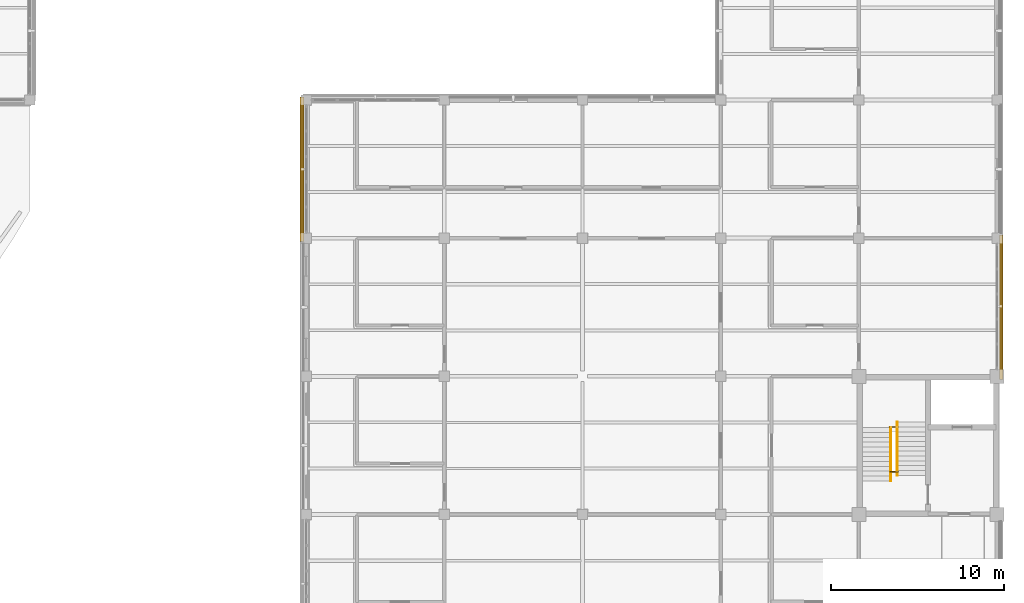
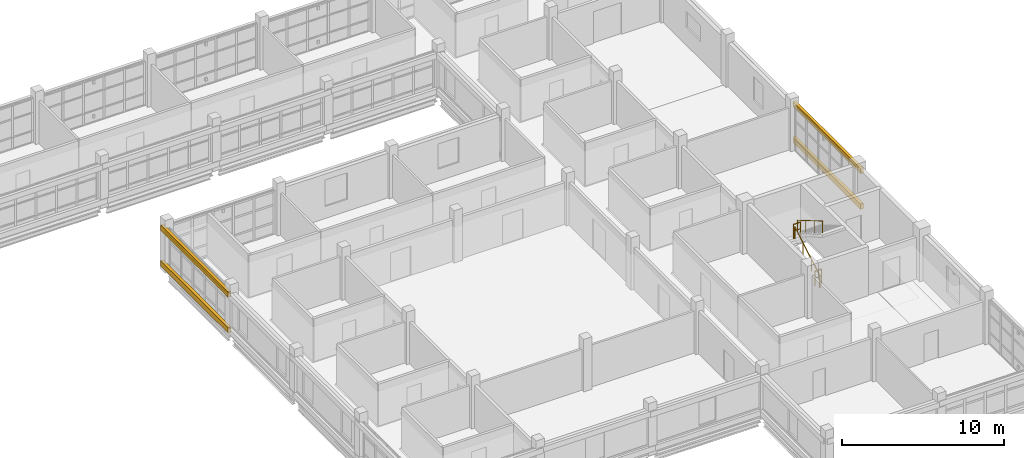
# One storey, part 121 of 126: 4 coverings, 4 railings, 2 shading devices.
"""IFC4 building model written with IfcOpenShell, lengths in metres."""

from ifc_helpers import new_model, si_unit, derived_unit, direction, frame, origin, origin_2d, place, context, subcontext, project, spatial, rectangle, circle, extrude, material, layer, layer_set, material_profile, profile_set, type_object, element, save


model = new_model("IFC4")

# Units and contexts
model_context = context("Model", 3, precision=1e-05, world=origin(), true_north=direction((0.0, 1.0)))
body_context = subcontext(model_context, "Body", "Model", "MODEL_VIEW")
ifc_project = project(units=[si_unit("LENGTHUNIT", "METRE"), si_unit("AREAUNIT", "SQUARE_METRE"), si_unit("VOLUMEUNIT", "CUBIC_METRE"), si_unit("PLANEANGLEUNIT", "RADIAN"), si_unit("MASSUNIT", "GRAM", prefix="KILO"), derived_unit("THERMALTRANSMITTANCEUNIT", [(si_unit("MASSUNIT", "GRAM", prefix="KILO"), 1), (si_unit("TIMEUNIT", "SECOND"), -3), (si_unit("THERMODYNAMICTEMPERATUREUNIT", "KELVIN"), -1)])], contexts=[model_context])

# Site, building, storey
site_placement = place(None, origin())
site = spatial("IfcSite", under=ifc_project, at=site_placement, CompositionType="ELEMENT")
building_placement = place(site_placement, origin())
building = spatial("IfcBuilding", under=site, at=building_placement, Name="Veyamyaing Civic Hall", CompositionType="ELEMENT")
storey_placement = place(building_placement, frame((0.0, 0.0, 9.89990234375)))
storey = spatial("IfcBuildingStorey", under=building, at=storey_placement, Name="L02", CompositionType="ELEMENT", Elevation=9.89990234375)

# Coverings
ifc_material_1 = material(Name="White powder-coated aluminium 6063-T6", Category="aluminium")
ifc_layer = layer(ifc_material_1, 0.2099609375, Name="White powder-coated aluminium 6063-T6")
ifc_layer_set = layer_set([ifc_layer], Name="White powder-coated aluminium 6063-T6")
covering_type = type_object("IfcCoveringType", Name="CL-03", PredefinedType="CLADDING", material=ifc_layer_set)
for number, where, z_axis, x_axis, name in (
    (1, (135.760009765625, 36.0, 2.967041015625), (0.0, 0.0, 1.0), (0.0, 1.0, 0.0), "Continuous white head fascia ribbon CL-03 L02 W 18.5"),
    (2, (135.760009765625, 36.0, 0.280029296875), (0.0, 0.0, 1.0), (0.0, 1.0, 0.0), "Continuous white sill fascia ribbon CL-03 L02 W 18.5"),
    (3, (176.239990234375, 28.0, 2.967041015625), (0.0, 0.0, 1.0), (0.0, 1.0, 0.0), "Continuous white head fascia ribbon CL-03 L02 E 22.4"),
    (4, (176.239990234375, 28.0, 0.280029296875), (0.0, 0.0, 1.0), (0.0, 1.0, 0.0), "Continuous white sill fascia ribbon CL-03 L02 E 22.4"),
):
    element("IfcCovering", number, at=place(storey_placement, frame(where, z_axis=z_axis, x_axis=x_axis)), inside=storey, type_object=covering_type, Name=name, PredefinedType="CLADDING", context=body_context, shape_type="SweptSolid", body=[
        extrude(rectangle(XDim=8.360107421875, YDim=0.2099609375, at=origin_2d()), origin(), (0.0, 0.0, 1.0), 0.39990234375),
    ])

# Railings
ifc_material_2 = material(Name="Steel S355J2", Category="steel")
railing_type_1 = type_object("IfcRailingType", Name="RL-01", PredefinedType="BALUSTRADE", material=ifc_material_2)
railing_1_placement = place(storey_placement, frame((169.780029296875, 21.070068359375, 1.97998046875)))
element("IfcRailing", 5, at=railing_1_placement, inside=storey, type_object=railing_type_1, Name="Half-landing slot guard RL-01 ST-10 L02", PredefinedType="BALUSTRADE", context=body_context, shape_type="SweptSolid", body=[
    extrude(circle(Radius=0.02392578125, at=origin_2d()), frame((0.0, 0.0, 1.076171875), z_axis=(1.0, 0.0, 0.0), x_axis=(0.0, 1.0, 0.0)), (0.0, 0.0, 1.0), 0.489990234375),
    extrude(circle(Radius=0.01416015625, at=origin_2d()), frame((0.0, 0.0, 0.572021484375), z_axis=(1.0, 0.0, 0.0), x_axis=(0.0, 1.0, 0.0)), (0.0, 0.0, 1.0), 0.489990234375),
    extrude(circle(Radius=0.02099609375, at=origin_2d()), origin(), (0.0, 0.0, 1.0), 1.052001953125),
    extrude(circle(Radius=0.02099609375, at=origin_2d()), frame((0.489990234375, 0.0, 0.0)), (0.0, 0.0, 1.0), 1.052001953125),
])
railing_2_placement = place(storey_placement, frame((169.800048828125, 18.47998046875, 0.0)))
element("IfcRailing", 6, at=railing_2_placement, inside=storey, type_object=railing_type_1, Name="Floor-landing slot guard RL-01 ST-10 L02", PredefinedType="BALUSTRADE", context=body_context, shape_type="SweptSolid", body=[
    extrude(circle(Radius=0.02392578125, at=origin_2d()), frame((0.0, 0.0, 1.076171875), z_axis=(1.0, 0.0, 0.0), x_axis=(0.0, 1.0, 0.0)), (0.0, 0.0, 1.0), 0.469970703125),
    extrude(circle(Radius=0.01416015625, at=origin_2d()), frame((0.0, 0.0, 0.572021484375), z_axis=(1.0, 0.0, 0.0), x_axis=(0.0, 1.0, 0.0)), (0.0, 0.0, 1.0), 0.469970703125),
    extrude(circle(Radius=0.02099609375, at=origin_2d()), origin(), (0.0, 0.0, 1.0), 1.052001953125),
    extrude(circle(Radius=0.02099609375, at=origin_2d()), frame((0.469970703125, 0.0, 0.0)), (0.0, 0.0, 1.0), 1.052001953125),
])
railing_type_2 = type_object("IfcRailingType", Name="RL-02", PredefinedType="HANDRAIL", material=ifc_material_2)
railing_3_placement = place(storey_placement, frame((169.840087890625, 17.949951171875, 0.1650390625)))
element("IfcRailing", 7, at=railing_3_placement, inside=storey, type_object=railing_type_2, Name="Stair pitch handrail RL-02 ST-10 L02.1", PredefinedType="HANDRAIL", context=body_context, shape_type="SweptSolid", body=[
    extrude(circle(Radius=0.02392578125, at=origin_2d()), frame((0.0, 0.0, 0.89599609375), z_axis=(0.0, 0.861551262678, 0.507670583921), x_axis=(-1.0, 0.0, 0.0)), (0.0, 0.0, 1.0), 3.574951171875),
    extrude(circle(Radius=0.02099609375, at=origin_2d()), origin(), (0.0, 0.0, 1.0), 0.871826171875),
    extrude(circle(Radius=0.02099609375, at=origin_2d()), frame((0.0, 1.026611328125, 0.60498046875)), (0.0, 0.0, 1.0), 0.871826171875),
    extrude(circle(Radius=0.02099609375, at=origin_2d()), frame((0.0, 2.053466796875, 1.2099609375)), (0.0, 0.0, 1.0), 0.871826171875),
    extrude(circle(Radius=0.02099609375, at=origin_2d()), frame((0.0, 3.080078125, 1.81494140625)), (0.0, 0.0, 1.0), 0.871826171875),
])
railing_4_placement = place(storey_placement, frame((170.219970703125, 21.35009765625, 2.14501953125)))
element("IfcRailing", 8, at=railing_4_placement, inside=storey, type_object=railing_type_2, Name="Stair pitch handrail RL-02 ST-10 L02.2", PredefinedType="HANDRAIL", context=body_context, shape_type="SweptSolid", body=[
    extrude(circle(Radius=0.02392578125, at=origin_2d()), frame((0.0, 0.0, 0.89599609375), z_axis=(0.0, -0.861521393093, 0.507721271215), x_axis=(1.0, 0.0, 0.0)), (0.0, 0.0, 1.0), 3.5751953125),
    extrude(circle(Radius=0.02099609375, at=origin_2d()), origin(), (0.0, 0.0, 1.0), 0.871826171875),
    extrude(circle(Radius=0.02099609375, at=origin_2d()), frame((0.0, -1.026611328125, 0.60498046875)), (0.0, 0.0, 1.0), 0.871826171875),
    extrude(circle(Radius=0.02099609375, at=origin_2d()), frame((0.0, -2.053466796875, 1.210205078125)), (0.0, 0.0, 1.0), 0.871826171875),
    extrude(circle(Radius=0.02099609375, at=origin_2d()), frame((0.0, -3.080078125, 1.815185546875)), (0.0, 0.0, 1.0), 0.871826171875),
])

# Shading devices
ifc_material_profile = material_profile(ifc_material_1, circle(Radius=0.090087890625, at=origin_2d()), Name="SHADE-TUBE-180")
ifc_profile_set = profile_set([ifc_material_profile], Name="White powder-coated aluminium 6063-T6")
shading_device_type = type_object("IfcShadingDeviceType", Name="SH-02", PredefinedType="USERDEFINED", material=ifc_profile_set)
shading_device_1_placement = place(storey_placement, frame((135.760009765625, 32.284912109375, 3.127197265625), z_axis=(0.0, 1.0, 0.0), x_axis=(-1.0, 0.0, 0.0)))
element("IfcShadingDevice", 9, at=shading_device_1_placement, inside=storey, type_object=shading_device_type, Name="Horizontal white sunshade ribbon SH-02 L02 W 18.5", ObjectType="SUNSHADE", PredefinedType="USERDEFINED", context=body_context, shape_type="SweptSolid", body=[
    extrude(circle(Radius=0.090087890625, at=origin_2d()), origin(), (0.0, 0.0, 1.0), 7.43017578125),
])
shading_device_2_placement = place(storey_placement, frame((176.239990234375, 24.385009765625, 3.127197265625), z_axis=(0.0, 1.0, 0.0), x_axis=(-1.0, 0.0, 0.0)))
element("IfcShadingDevice", 10, at=shading_device_2_placement, inside=storey, type_object=shading_device_type, Name="Horizontal white sunshade ribbon SH-02 L02 E 22.4", ObjectType="SUNSHADE", PredefinedType="USERDEFINED", context=body_context, shape_type="SweptSolid", body=[
    extrude(circle(Radius=0.090087890625, at=origin_2d()), origin(), (0.0, 0.0, 1.0), 7.330078125),
])

save(model, "model.ifc")
